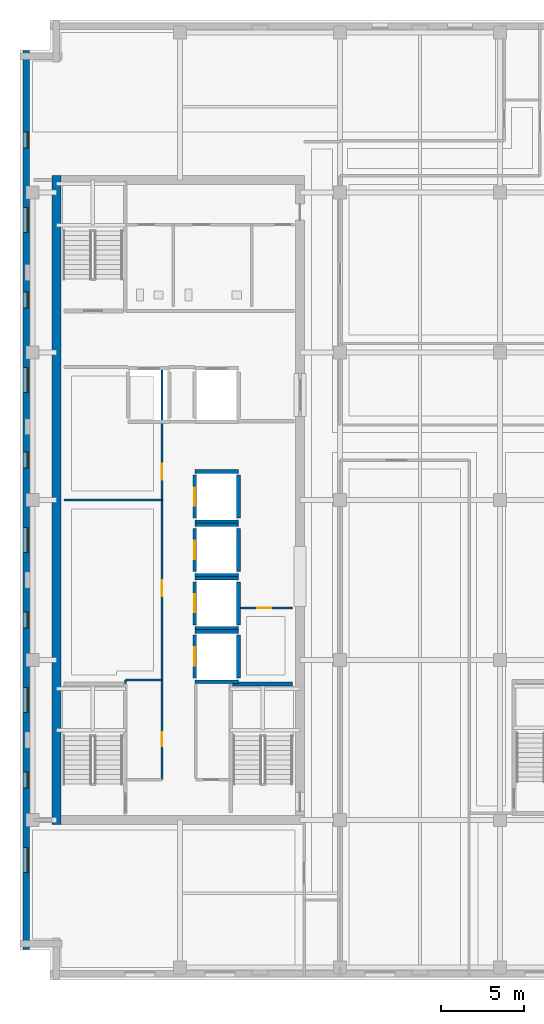
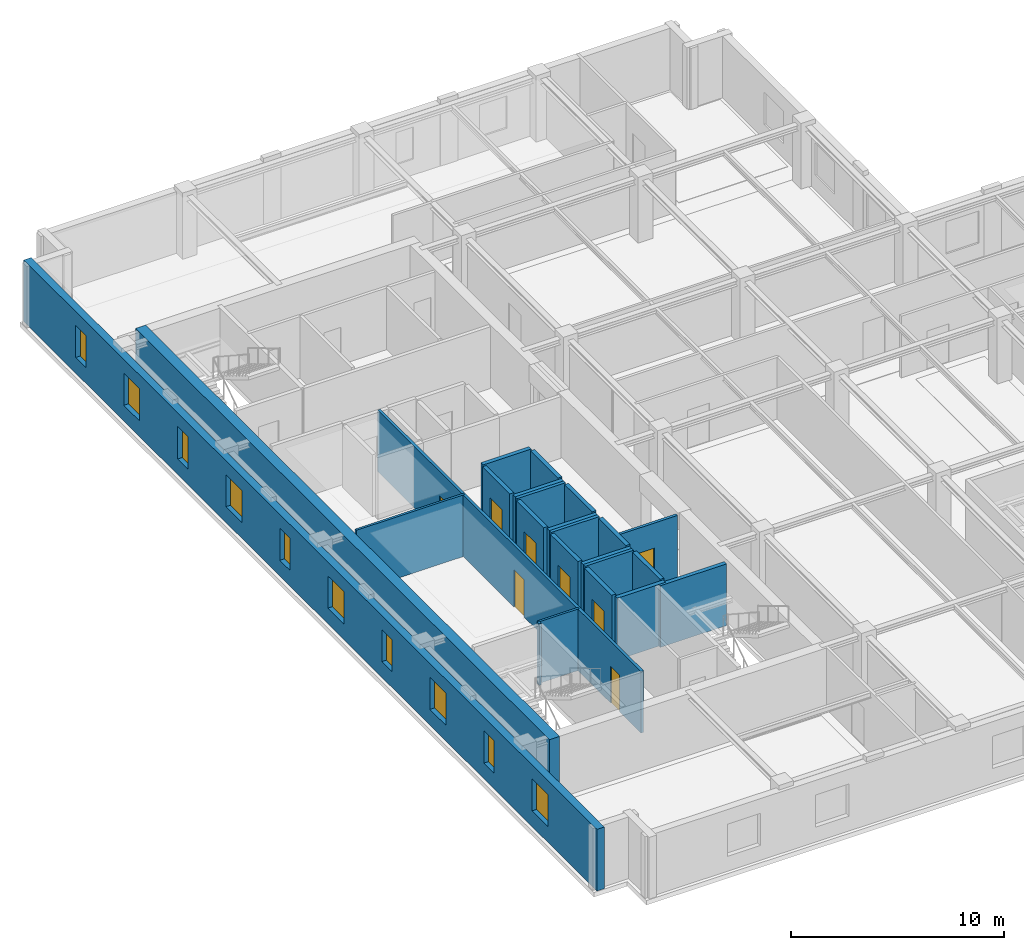
# One storey, part 4 of 12: 24 walls, 10 windows, 8 doors, 18 openings.
"""IFC4 building model written with IfcOpenShell, lengths in metres."""

from ifc_helpers import new_model, si_unit, direction, frame, frame_2d, origin, place, context, subcontext, project, spatial, rectangle, extrude, material, layer, layer_set, type_object, element, fill, save


model = new_model("IFC4")

# Units and contexts
model_context = context("Model", 3, precision=1e-05, world=origin(), true_north=direction((0.0, 1.0)))
body_context = subcontext(model_context, "Body", "Model", "MODEL_VIEW")
ifc_project = project(units=[si_unit("LENGTHUNIT", "METRE"), si_unit("AREAUNIT", "SQUARE_METRE"), si_unit("VOLUMEUNIT", "CUBIC_METRE"), si_unit("PLANEANGLEUNIT", "RADIAN"), si_unit("MASSUNIT", "GRAM", prefix="KILO")], contexts=[model_context])

# Site, building, storey
site_placement = place(None, origin())
site = spatial("IfcSite", under=ifc_project, at=site_placement, CompositionType="ELEMENT")
building_placement = place(site_placement, origin())
building = spatial("IfcBuilding", under=site, at=building_placement, Name="Norrvale University Quadrangle", CompositionType="ELEMENT")
storey_placement = place(building_placement, frame((0.0, 0.0, 237.0)))
storey = spatial("IfcBuildingStorey", under=building, at=storey_placement, Name="L60", CompositionType="ELEMENT", Elevation=237.0)

# Walls
ifc_material_1 = material(Name="Concrete C60/75", Category="concrete")
ifc_layer_1 = layer(ifc_material_1, 0.550048828125, Name="Concrete C60/75")
ifc_layer_set_1 = layer_set([ifc_layer_1], Name="Concrete C60/75")
wall_type_1 = type_object("IfcWallType", Name="Wall Core 550", PredefinedType="SHEAR", material=ifc_layer_set_1)
wall_1_placement = place(storey_placement, frame((2.199951171875, 9.324951171875, 0.0), z_axis=(0.0, 0.0, 1.0), x_axis=(0.0, 1.0, 0.0)))
element("IfcWall", 1, at=wall_1_placement, inside=storey, type_object=wall_type_1, Name="Tower Core Shear Wall L60-W", PredefinedType="SHEAR", context=body_context, shape_type="SweptSolid", body=[
    extrude(rectangle(XDim=38.949951171875, YDim=0.550048828125, at=frame_2d((19.47509765625, 0.0))), origin(), (0.0, 0.0, 1.0), 3.5400390625),
])
ifc_material_2 = material(Name="Standard Academic Gypsum Partition")
ifc_layer_2 = layer(ifc_material_2, 0.125, Name="Standard Academic Gypsum Partition")
ifc_layer_set_2 = layer_set([ifc_layer_2], Name="Standard Academic Gypsum Partition")
wall_type_2 = type_object("IfcWallType", Name="Wall Gypsum Academic 125", PredefinedType="PARTITIONING", material=ifc_layer_set_2)
wall_2_placement = place(storey_placement, frame((6.320068359375, 17.800048828125, 0.0), z_axis=(0.0, 0.0, 1.0), x_axis=(0.0, 1.0, 0.0)))
element("IfcWall", 2, at=wall_2_placement, inside=storey, type_object=wall_type_2, Name="Interior Partition WL-L60-REC-L1", PredefinedType="PARTITIONING", context=body_context, shape_type="SweptSolid", body=[
    extrude(rectangle(XDim=0.199951171875, YDim=0.125, at=frame_2d((0.10009765625, 0.0))), origin(), (0.0, 0.0, 1.0), 3.5400390625),
])
wall_3_placement = place(storey_placement, frame((6.320068359375, 18.0, 0.0), z_axis=(0.0, 0.0, 1.0), x_axis=(1.0, 0.0, 0.0)))
element("IfcWall", 3, at=wall_3_placement, inside=storey, type_object=wall_type_2, Name="Interior Partition WL-L60-REC-L2", PredefinedType="PARTITIONING", context=body_context, shape_type="SweptSolid", body=[
    extrude(rectangle(XDim=2.199951171875, YDim=0.125, at=frame_2d((1.10009765625, 0.0))), origin(), (0.0, 0.0, 1.0), 3.5400390625),
])
wall_4_placement = place(storey_placement, frame((2.64990234375, 28.800048828125, 0.0), z_axis=(0.0, 0.0, 1.0), x_axis=(1.0, 0.0, 0.0)))
element("IfcWall", 4, at=wall_4_placement, inside=storey, type_object=wall_type_2, Name="Interior Partition WL-L60-REC-M2", PredefinedType="PARTITIONING", context=body_context, shape_type="SweptSolid", body=[
    extrude(rectangle(XDim=5.8701171875, YDim=0.125, at=frame_2d((2.93505859375, 0.0))), origin(), (0.0, 0.0, 1.0), 3.5400390625),
])

# Wall, opening, door
ifc_material_3 = material(Name="Fire-Rated Gypsum Stud Partition")
ifc_layer_3 = layer(ifc_material_3, 0.14990234375, Name="Fire-Rated Gypsum Stud Partition")
ifc_layer_set_3 = layer_set([ifc_layer_3], Name="Fire-Rated Gypsum Stud Partition")
wall_type_3 = type_object("IfcWallType", Name="Wall Gypsum Corridor 150", PredefinedType="PARTITIONING", material=ifc_layer_set_3)
wall_5_placement = place(storey_placement, frame((13.22509765625, 22.320068359375, 0.0), z_axis=(0.0, 0.0, 1.0), x_axis=(1.0, 0.0, 0.0)))
wall_5 = element("IfcWall", 5, at=wall_5_placement, inside=storey, type_object=wall_type_3, Name="Interior Partition WL-L60-JAN-N", PredefinedType="PARTITIONING", context=body_context, shape_type="SweptSolid", body=[
    extrude(rectangle(XDim=3.119873046875, YDim=0.14990234375, at=frame_2d((1.56005859375, 0.0))), origin(), (0.0, 0.0, 1.0), 3.5400390625),
])
opening_1_placement = place(wall_5_placement, frame((1.0, 0.0, 0.0)))
opening_1 = element("IfcOpeningElement", 6, at=opening_1_placement, cuts=wall_5, Name="Opening D10", PredefinedType="OPENING", context=body_context, shape_type="SweptSolid", body=[
    extrude(rectangle(XDim=0.85009765625, YDim=2.10009765625, at=frame_2d((0.425048828125, 1.050048828125))), frame((0.0, 0.0869140625, 0.0), z_axis=(0.0, -1.0, 0.0), x_axis=(1.0, 0.0, 0.0)), (0.0, 0.0, 1.0), 0.173828125),
])
ifc_material_4 = material(Name="Hollow Steel 350W Riser Fire Door", Category="steel")
door_type_1 = type_object("IfcDoorType", Name="Door Riser 850x2100", OperationType="NOTDEFINED", PredefinedType="DOOR", material=ifc_material_4)
door_1_placement = place(opening_1_placement, origin())
door_1 = element("IfcDoor", 7, at=door_1_placement, inside=storey, type_object=door_type_1, Name="Door Riser 850x2100 DR-L60-JAN", OperationType="SINGLE_SWING_LEFT", OverallHeight=2.10009765625, OverallWidth=0.85009765625, PredefinedType="DOOR", context=body_context, shape_type="SweptSolid", body=[
    extrude(rectangle(XDim=0.85009765625, YDim=2.10009765625, at=frame_2d((0.425048828125, 1.050048828125))), frame((0.0, 0.02490234375, 0.0), z_axis=(0.0, -1.0, 0.0), x_axis=(1.0, 0.0, 0.0)), (0.0, 0.0, 1.0), 0.050048828125),
])
fill(opening_1, door_1)

# Wall, openings, doors
wall_6_placement = place(storey_placement, frame((8.52001953125, 12.02001953125, 0.0), z_axis=(0.0, 0.0, 1.0), x_axis=(0.0, 1.0, 0.0)))
wall_6 = element("IfcWall", 8, at=wall_6_placement, inside=storey, type_object=wall_type_3, Name="Interior Partition WL-L60-REC-E", PredefinedType="PARTITIONING", context=body_context, shape_type="SweptSolid", body=[
    extrude(rectangle(XDim=24.760009765625, YDim=0.14990234375, at=frame_2d((12.3798828125, 0.0))), origin(), (0.0, 0.0, 1.0), 3.5400390625),
])
opening_2_placement = place(wall_6_placement, frame((2.0, 0.0, 0.0)))
opening_2 = element("IfcOpeningElement", 9, at=opening_2_placement, cuts=wall_6, Name="Opening D10", PredefinedType="OPENING", context=body_context, shape_type="SweptSolid", body=[
    extrude(rectangle(XDim=0.85009765625, YDim=2.10009765625, at=frame_2d((0.425048828125, 1.050048828125))), frame((0.0, 0.0869140625, 0.0), z_axis=(0.0, -1.0, 0.0), x_axis=(1.0, 0.0, 0.0)), (0.0, 0.0, 1.0), 0.173828125),
])
opening_3_placement = place(wall_6_placement, frame((11.0, 0.0, 0.0)))
opening_3 = element("IfcOpeningElement", 10, at=opening_3_placement, cuts=wall_6, Name="Opening D07", PredefinedType="OPENING", context=body_context, shape_type="SweptSolid", body=[
    extrude(rectangle(XDim=0.949951171875, YDim=2.14990234375, at=frame_2d((0.47509765625, 1.074951171875))), frame((0.0, 0.0869140625, 0.0), z_axis=(0.0, -1.0, 0.0), x_axis=(1.0, 0.0, 0.0)), (0.0, 0.0, 1.0), 0.173828125),
])
opening_4_placement = place(wall_6_placement, frame((18.0, 0.0, 0.0)))
opening_4 = element("IfcOpeningElement", 11, at=opening_4_placement, cuts=wall_6, Name="Opening D07", PredefinedType="OPENING", context=body_context, shape_type="SweptSolid", body=[
    extrude(rectangle(XDim=0.949951171875, YDim=2.14990234375, at=frame_2d((0.47509765625, 1.074951171875))), frame((0.0, 0.0869140625, 0.0), z_axis=(0.0, -1.0, 0.0), x_axis=(1.0, 0.0, 0.0)), (0.0, 0.0, 1.0), 0.173828125),
])
ifc_material_5 = material(Name="Solid-Core Maple Door", Category="wood")
door_type_2 = type_object("IfcDoorType", Name="Door Office 950x2150", OperationType="NOTDEFINED", PredefinedType="DOOR", material=ifc_material_5)
door_2_placement = place(opening_3_placement, origin())
door_2 = element("IfcDoor", 12, at=door_2_placement, inside=storey, type_object=door_type_2, Name="Door Office 950x2150 DR-L60-REC2", OperationType="SINGLE_SWING_RIGHT", OverallHeight=2.14990234375, OverallWidth=0.949951171875, PredefinedType="DOOR", context=body_context, shape_type="SweptSolid", body=[
    extrude(rectangle(XDim=0.949951171875, YDim=2.14990234375, at=frame_2d((0.47509765625, 1.074951171875))), frame((0.0, 0.02490234375, 0.0), z_axis=(0.0, -1.0, 0.0), x_axis=(1.0, 0.0, 0.0)), (0.0, 0.0, 1.0), 0.050048828125),
])
fill(opening_3, door_2)
door_3_placement = place(opening_4_placement, origin())
door_3 = element("IfcDoor", 13, at=door_3_placement, inside=storey, type_object=door_type_2, Name="Door Office 950x2150 DR-L60-REC3", OperationType="SINGLE_SWING_LEFT", OverallHeight=2.14990234375, OverallWidth=0.949951171875, PredefinedType="DOOR", context=body_context, shape_type="SweptSolid", body=[
    extrude(rectangle(XDim=0.949951171875, YDim=2.14990234375, at=frame_2d((0.47509765625, 1.074951171875))), frame((0.0, 0.02490234375, 0.0), z_axis=(0.0, -1.0, 0.0), x_axis=(1.0, 0.0, 0.0)), (0.0, 0.0, 1.0), 0.050048828125),
])
fill(opening_4, door_3)
door_4_placement = place(opening_2_placement, origin())
door_4 = element("IfcDoor", 14, at=door_4_placement, inside=storey, type_object=door_type_1, Name="Door Riser 850x2100 DR-L60-REC1", OperationType="SINGLE_SWING_LEFT", OverallHeight=2.10009765625, OverallWidth=0.85009765625, PredefinedType="DOOR", context=body_context, shape_type="SweptSolid", body=[
    extrude(rectangle(XDim=0.85009765625, YDim=2.10009765625, at=frame_2d((0.425048828125, 1.050048828125))), frame((0.0, 0.02490234375, 0.0), z_axis=(0.0, -1.0, 0.0), x_axis=(1.0, 0.0, 0.0)), (0.0, 0.0, 1.0), 0.050048828125),
])
fill(opening_2, door_4)

# Wall, openings, windows
ifc_material_6 = material(Name="Red Manganese Brick Masonry", Category="masonry")
ifc_layer_4 = layer(ifc_material_6, 0.39990234375, Name="Red Manganese Brick Masonry")
ifc_layer_set_4 = layer_set([ifc_layer_4], Name="Red Manganese Brick Masonry")
wall_type_4 = type_object("IfcWallType", Name="Wall Red Brick 400", PredefinedType="SOLIDWALL", material=ifc_layer_set_4)
wall_7_placement = place(storey_placement, frame((0.3798828125, 55.760009765625, 0.0), z_axis=(0.0, 0.0, 1.0), x_axis=(0.0, -1.0, 0.0)))
wall_7 = element("IfcWall", 15, at=wall_7_placement, inside=storey, type_object=wall_type_4, Name="Exterior Brick Facade Wall L60-14.1", PredefinedType="SOLIDWALL", context=body_context, shape_type="SweptSolid", body=[
    extrude(rectangle(XDim=53.919921875, YDim=0.39990234375, at=frame_2d((26.9599609375, 0.0))), origin(), (0.0, 0.0, 1.0), 3.5400390625),
])
opening_5_placement = place(wall_7_placement, frame((4.885009765625, 0.0, 0.89990234375)))
opening_5 = element("IfcOpeningElement", 16, at=opening_5_placement, cuts=wall_7, Name="Opening W04", PredefinedType="OPENING", context=body_context, shape_type="SweptSolid", body=[
    extrude(rectangle(XDim=0.949951171875, YDim=1.85009765625, at=frame_2d((0.47509765625, 0.925048828125))), frame((0.0, 0.2119140625, 0.0), z_axis=(0.0, -1.0, 0.0), x_axis=(1.0, 0.0, 0.0)), (0.0, 0.0, 1.0), 0.423828125),
])
opening_6_placement = place(wall_7_placement, frame((9.409912109375, 0.0, 0.89990234375)))
opening_6 = element("IfcOpeningElement", 17, at=opening_6_placement, cuts=wall_7, Name="Opening W03", PredefinedType="OPENING", context=body_context, shape_type="SweptSolid", body=[
    extrude(rectangle(XDim=1.5, YDim=1.85009765625, at=frame_2d((0.75, 0.925048828125))), frame((0.0, 0.2119140625, 0.0), z_axis=(0.0, -1.0, 0.0), x_axis=(1.0, 0.0, 0.0)), (0.0, 0.0, 1.0), 0.423828125),
])
opening_7_placement = place(wall_7_placement, frame((14.485107421875, 0.0, 0.89990234375)))
opening_7 = element("IfcOpeningElement", 18, at=opening_7_placement, cuts=wall_7, Name="Opening W04", PredefinedType="OPENING", context=body_context, shape_type="SweptSolid", body=[
    extrude(rectangle(XDim=0.949951171875, YDim=1.85009765625, at=frame_2d((0.47509765625, 0.925048828125))), frame((0.0, 0.2119140625, 0.0), z_axis=(0.0, -1.0, 0.0), x_axis=(1.0, 0.0, 0.0)), (0.0, 0.0, 1.0), 0.423828125),
])
opening_8_placement = place(wall_7_placement, frame((19.010009765625, 0.0, 0.89990234375)))
opening_8 = element("IfcOpeningElement", 19, at=opening_8_placement, cuts=wall_7, Name="Opening W03", PredefinedType="OPENING", context=body_context, shape_type="SweptSolid", body=[
    extrude(rectangle(XDim=1.5, YDim=1.85009765625, at=frame_2d((0.75, 0.925048828125))), frame((0.0, 0.2119140625, 0.0), z_axis=(0.0, -1.0, 0.0), x_axis=(1.0, 0.0, 0.0)), (0.0, 0.0, 1.0), 0.423828125),
])
opening_9_placement = place(wall_7_placement, frame((24.0849609375, 0.0, 0.89990234375)))
opening_9 = element("IfcOpeningElement", 20, at=opening_9_placement, cuts=wall_7, Name="Opening W04", PredefinedType="OPENING", context=body_context, shape_type="SweptSolid", body=[
    extrude(rectangle(XDim=0.949951171875, YDim=1.85009765625, at=frame_2d((0.47509765625, 0.925048828125))), frame((0.0, 0.2119140625, 0.0), z_axis=(0.0, -1.0, 0.0), x_axis=(1.0, 0.0, 0.0)), (0.0, 0.0, 1.0), 0.423828125),
])
opening_10_placement = place(wall_7_placement, frame((28.610107421875, 0.0, 0.89990234375)))
opening_10 = element("IfcOpeningElement", 21, at=opening_10_placement, cuts=wall_7, Name="Opening W03", PredefinedType="OPENING", context=body_context, shape_type="SweptSolid", body=[
    extrude(rectangle(XDim=1.5, YDim=1.85009765625, at=frame_2d((0.75, 0.925048828125))), frame((0.0, 0.2119140625, 0.0), z_axis=(0.0, -1.0, 0.0), x_axis=(1.0, 0.0, 0.0)), (0.0, 0.0, 1.0), 0.423828125),
])
opening_11_placement = place(wall_7_placement, frame((33.68505859375, 0.0, 0.89990234375)))
opening_11 = element("IfcOpeningElement", 22, at=opening_11_placement, cuts=wall_7, Name="Opening W04", PredefinedType="OPENING", context=body_context, shape_type="SweptSolid", body=[
    extrude(rectangle(XDim=0.949951171875, YDim=1.85009765625, at=frame_2d((0.47509765625, 0.925048828125))), frame((0.0, 0.2119140625, 0.0), z_axis=(0.0, -1.0, 0.0), x_axis=(1.0, 0.0, 0.0)), (0.0, 0.0, 1.0), 0.423828125),
])
opening_12_placement = place(wall_7_placement, frame((38.2099609375, 0.0, 0.89990234375)))
opening_12 = element("IfcOpeningElement", 23, at=opening_12_placement, cuts=wall_7, Name="Opening W03", PredefinedType="OPENING", context=body_context, shape_type="SweptSolid", body=[
    extrude(rectangle(XDim=1.5, YDim=1.85009765625, at=frame_2d((0.75, 0.925048828125))), frame((0.0, 0.2119140625, 0.0), z_axis=(0.0, -1.0, 0.0), x_axis=(1.0, 0.0, 0.0)), (0.0, 0.0, 1.0), 0.423828125),
])
opening_13_placement = place(wall_7_placement, frame((43.284912109375, 0.0, 0.89990234375)))
opening_13 = element("IfcOpeningElement", 24, at=opening_13_placement, cuts=wall_7, Name="Opening W04", PredefinedType="OPENING", context=body_context, shape_type="SweptSolid", body=[
    extrude(rectangle(XDim=0.949951171875, YDim=1.85009765625, at=frame_2d((0.47509765625, 0.925048828125))), frame((0.0, 0.2119140625, 0.0), z_axis=(0.0, -1.0, 0.0), x_axis=(1.0, 0.0, 0.0)), (0.0, 0.0, 1.0), 0.423828125),
])
opening_14_placement = place(wall_7_placement, frame((47.81005859375, 0.0, 0.89990234375)))
opening_14 = element("IfcOpeningElement", 25, at=opening_14_placement, cuts=wall_7, Name="Opening W03", PredefinedType="OPENING", context=body_context, shape_type="SweptSolid", body=[
    extrude(rectangle(XDim=1.5, YDim=1.85009765625, at=frame_2d((0.75, 0.925048828125))), frame((0.0, 0.2119140625, 0.0), z_axis=(0.0, -1.0, 0.0), x_axis=(1.0, 0.0, 0.0)), (0.0, 0.0, 1.0), 0.423828125),
])
ifc_material_7 = material(Name="Triple Low-E Argon Glazing", Category="glass")
window_type_1 = type_object("IfcWindowType", Name="Window Narrow Pier 950x2300", PartitioningType="SINGLE_PANEL", PredefinedType="WINDOW", material=ifc_material_7)
window_1_placement = place(opening_5_placement, origin())
window_1 = element("IfcWindow", 26, at=window_1_placement, inside=storey, type_object=window_type_1, Name="Window Narrow Pier 950x2300 WIN-L60-E14-1-01", OverallHeight=1.85009765625, OverallWidth=0.949951171875, PartitioningType="SINGLE_PANEL", PredefinedType="WINDOW", context=body_context, shape_type="SweptSolid", body=[
    extrude(rectangle(XDim=0.949951171875, YDim=1.85009765625, at=frame_2d((0.47509765625, 0.925048828125))), frame((0.0, 0.110107421875, 0.0), z_axis=(0.0, -1.0, 0.0), x_axis=(1.0, 0.0, 0.0)), (0.0, 0.0, 1.0), 0.06005859375),
])
fill(opening_5, window_1)
window_2_placement = place(opening_7_placement, origin())
window_2 = element("IfcWindow", 27, at=window_2_placement, inside=storey, type_object=window_type_1, Name="Window Narrow Pier 950x2300 WIN-L60-E14-1-03", OverallHeight=1.85009765625, OverallWidth=0.949951171875, PartitioningType="SINGLE_PANEL", PredefinedType="WINDOW", context=body_context, shape_type="SweptSolid", body=[
    extrude(rectangle(XDim=0.949951171875, YDim=1.85009765625, at=frame_2d((0.47509765625, 0.925048828125))), frame((0.0, 0.110107421875, 0.0), z_axis=(0.0, -1.0, 0.0), x_axis=(1.0, 0.0, 0.0)), (0.0, 0.0, 1.0), 0.06005859375),
])
fill(opening_7, window_2)
window_3_placement = place(opening_9_placement, origin())
window_3 = element("IfcWindow", 28, at=window_3_placement, inside=storey, type_object=window_type_1, Name="Window Narrow Pier 950x2300 WIN-L60-E14-1-05", OverallHeight=1.85009765625, OverallWidth=0.949951171875, PartitioningType="SINGLE_PANEL", PredefinedType="WINDOW", context=body_context, shape_type="SweptSolid", body=[
    extrude(rectangle(XDim=0.949951171875, YDim=1.85009765625, at=frame_2d((0.47509765625, 0.925048828125))), frame((0.0, 0.110107421875, 0.0), z_axis=(0.0, -1.0, 0.0), x_axis=(1.0, 0.0, 0.0)), (0.0, 0.0, 1.0), 0.06005859375),
])
fill(opening_9, window_3)
window_4_placement = place(opening_11_placement, origin())
window_4 = element("IfcWindow", 29, at=window_4_placement, inside=storey, type_object=window_type_1, Name="Window Narrow Pier 950x2300 WIN-L60-E14-1-07", OverallHeight=1.85009765625, OverallWidth=0.949951171875, PartitioningType="SINGLE_PANEL", PredefinedType="WINDOW", context=body_context, shape_type="SweptSolid", body=[
    extrude(rectangle(XDim=0.949951171875, YDim=1.85009765625, at=frame_2d((0.47509765625, 0.925048828125))), frame((0.0, 0.110107421875, 0.0), z_axis=(0.0, -1.0, 0.0), x_axis=(1.0, 0.0, 0.0)), (0.0, 0.0, 1.0), 0.06005859375),
])
fill(opening_11, window_4)
window_5_placement = place(opening_13_placement, origin())
window_5 = element("IfcWindow", 30, at=window_5_placement, inside=storey, type_object=window_type_1, Name="Window Narrow Pier 950x2300 WIN-L60-E14-1-09", OverallHeight=1.85009765625, OverallWidth=0.949951171875, PartitioningType="SINGLE_PANEL", PredefinedType="WINDOW", context=body_context, shape_type="SweptSolid", body=[
    extrude(rectangle(XDim=0.949951171875, YDim=1.85009765625, at=frame_2d((0.47509765625, 0.925048828125))), frame((0.0, 0.110107421875, 0.0), z_axis=(0.0, -1.0, 0.0), x_axis=(1.0, 0.0, 0.0)), (0.0, 0.0, 1.0), 0.06005859375),
])
fill(opening_13, window_5)
window_type_2 = type_object("IfcWindowType", Name="Window Studio 1500x2300", PartitioningType="DOUBLE_PANEL_VERTICAL", PredefinedType="WINDOW", material=ifc_material_7)
window_6_placement = place(opening_6_placement, origin())
window_6 = element("IfcWindow", 31, at=window_6_placement, inside=storey, type_object=window_type_2, Name="Window Studio 1500x2300 WIN-L60-E14-1-02", OverallHeight=1.85009765625, OverallWidth=1.5, PartitioningType="DOUBLE_PANEL_VERTICAL", PredefinedType="WINDOW", context=body_context, shape_type="SweptSolid", body=[
    extrude(rectangle(XDim=1.5, YDim=1.85009765625, at=frame_2d((0.75, 0.925048828125))), frame((0.0, 0.110107421875, 0.0), z_axis=(0.0, -1.0, 0.0), x_axis=(1.0, 0.0, 0.0)), (0.0, 0.0, 1.0), 0.06005859375),
])
fill(opening_6, window_6)
window_7_placement = place(opening_8_placement, origin())
window_7 = element("IfcWindow", 32, at=window_7_placement, inside=storey, type_object=window_type_2, Name="Window Studio 1500x2300 WIN-L60-E14-1-04", OverallHeight=1.85009765625, OverallWidth=1.5, PartitioningType="DOUBLE_PANEL_VERTICAL", PredefinedType="WINDOW", context=body_context, shape_type="SweptSolid", body=[
    extrude(rectangle(XDim=1.5, YDim=1.85009765625, at=frame_2d((0.75, 0.925048828125))), frame((0.0, 0.110107421875, 0.0), z_axis=(0.0, -1.0, 0.0), x_axis=(1.0, 0.0, 0.0)), (0.0, 0.0, 1.0), 0.06005859375),
])
fill(opening_8, window_7)
window_8_placement = place(opening_10_placement, origin())
window_8 = element("IfcWindow", 33, at=window_8_placement, inside=storey, type_object=window_type_2, Name="Window Studio 1500x2300 WIN-L60-E14-1-06", OverallHeight=1.85009765625, OverallWidth=1.5, PartitioningType="DOUBLE_PANEL_VERTICAL", PredefinedType="WINDOW", context=body_context, shape_type="SweptSolid", body=[
    extrude(rectangle(XDim=1.5, YDim=1.85009765625, at=frame_2d((0.75, 0.925048828125))), frame((0.0, 0.110107421875, 0.0), z_axis=(0.0, -1.0, 0.0), x_axis=(1.0, 0.0, 0.0)), (0.0, 0.0, 1.0), 0.06005859375),
])
fill(opening_10, window_8)
window_9_placement = place(opening_12_placement, origin())
window_9 = element("IfcWindow", 34, at=window_9_placement, inside=storey, type_object=window_type_2, Name="Window Studio 1500x2300 WIN-L60-E14-1-08", OverallHeight=1.85009765625, OverallWidth=1.5, PartitioningType="DOUBLE_PANEL_VERTICAL", PredefinedType="WINDOW", context=body_context, shape_type="SweptSolid", body=[
    extrude(rectangle(XDim=1.5, YDim=1.85009765625, at=frame_2d((0.75, 0.925048828125))), frame((0.0, 0.110107421875, 0.0), z_axis=(0.0, -1.0, 0.0), x_axis=(1.0, 0.0, 0.0)), (0.0, 0.0, 1.0), 0.06005859375),
])
fill(opening_12, window_9)
window_10_placement = place(opening_14_placement, origin())
window_10 = element("IfcWindow", 35, at=window_10_placement, inside=storey, type_object=window_type_2, Name="Window Studio 1500x2300 WIN-L60-E14-1-10", OverallHeight=1.85009765625, OverallWidth=1.5, PartitioningType="DOUBLE_PANEL_VERTICAL", PredefinedType="WINDOW", context=body_context, shape_type="SweptSolid", body=[
    extrude(rectangle(XDim=1.5, YDim=1.85009765625, at=frame_2d((0.75, 0.925048828125))), frame((0.0, 0.110107421875, 0.0), z_axis=(0.0, -1.0, 0.0), x_axis=(1.0, 0.0, 0.0)), (0.0, 0.0, 1.0), 0.06005859375),
])
fill(opening_14, window_10)

# Wall
ifc_material_8 = material(Name="Concrete Blockwork 20 MPa Fire Shaft", Category="masonry")
ifc_layer_5 = layer(ifc_material_8, 0.219970703125, Name="Concrete Blockwork 20 MPa Fire Shaft")
ifc_layer_set_5 = layer_set([ifc_layer_5], Name="Concrete Blockwork 20 MPa Fire Shaft")
wall_type_5 = type_object("IfcWallType", Name="Wall Shaft 220", PredefinedType="SOLIDWALL", material=ifc_layer_set_5)
wall_8_placement = place(storey_placement, frame((12.75, 17.760009765625, 0.0), z_axis=(0.0, 0.0, 1.0), x_axis=(1.0, 0.0, 0.0)))
element("IfcWall", 36, at=wall_8_placement, inside=storey, type_object=wall_type_5, Name="Stair ST-03 North Shaft Wall L60", PredefinedType="SOLIDWALL", context=body_context, shape_type="SweptSolid", body=[
    extrude(rectangle(XDim=3.60009765625, YDim=0.219970703125, at=frame_2d((1.800048828125, 0.0))), origin(), (0.0, 0.0, 1.0), 3.5400390625),
])

# Wall, opening, door
wall_9_placement = place(storey_placement, frame((10.489990234375, 18.110107421875, 0.0), z_axis=(0.0, 0.0, 1.0), x_axis=(0.0, 1.0, 0.0)))
wall_9 = element("IfcWall", 37, at=wall_9_placement, inside=storey, type_object=wall_type_5, Name="Hoistway PL-05 West Wall L60", PredefinedType="SOLIDWALL", context=body_context, shape_type="SweptSolid", body=[
    extrude(rectangle(XDim=2.579833984375, YDim=0.219970703125, at=frame_2d((1.2900390625, 0.0))), origin(), (0.0, 0.0, 1.0), 3.5400390625),
])
opening_15_placement = place(wall_9_placement, frame((0.739990234375, 0.0, 0.0)))
opening_15 = element("IfcOpeningElement", 38, at=opening_15_placement, cuts=wall_9, Name="Opening LD1", PredefinedType="OPENING", context=body_context, shape_type="SweptSolid", body=[
    extrude(rectangle(XDim=1.10009765625, YDim=2.199951171875, at=frame_2d((0.550048828125, 1.10009765625))), frame((0.0, 0.1220703125, 0.0), z_axis=(0.0, -1.0, 0.0), x_axis=(1.0, 0.0, 0.0)), (0.0, 0.0, 1.0), 0.243896484375),
])
ifc_material_9 = material(Name="Stainless Steel 316L Lift Landing Door", Category="steel")
door_type_3 = type_object("IfcDoorType", Name="Door Lift Landing 1100x2200", OperationType="DOUBLE_DOOR_SLIDING", PredefinedType="DOOR", material=ifc_material_9)
door_5_placement = place(opening_15_placement, origin())
door_5 = element("IfcDoor", 39, at=door_5_placement, inside=storey, type_object=door_type_3, Name="Elevator Landing Door DR-L60-PL-05", OperationType="DOUBLE_DOOR_SLIDING", OverallHeight=2.199951171875, OverallWidth=1.10009765625, PredefinedType="DOOR", context=body_context, shape_type="SweptSolid", body=[
    extrude(rectangle(XDim=1.10009765625, YDim=2.199951171875, at=frame_2d((0.550048828125, 1.10009765625))), frame((0.0, 0.02490234375, 0.0), z_axis=(0.0, -1.0, 0.0), x_axis=(1.0, 0.0, 0.0)), (0.0, 0.0, 1.0), 0.050048828125),
])
fill(opening_15, door_5)

# Walls
wall_10_placement = place(storey_placement, frame((13.110107421875, 18.110107421875, 0.0), z_axis=(0.0, 0.0, 1.0), x_axis=(0.0, 1.0, 0.0)))
element("IfcWall", 40, at=wall_10_placement, inside=storey, type_object=wall_type_5, Name="Hoistway PL-05 East Wall L60", PredefinedType="SOLIDWALL", context=body_context, shape_type="SweptSolid", body=[
    extrude(rectangle(XDim=2.579833984375, YDim=0.219970703125, at=frame_2d((1.2900390625, 0.0))), origin(), (0.0, 0.0, 1.0), 3.5400390625),
])
for number, where, z_axis, x_axis, name in (
    (41, (10.489990234375, 17.889892578125, 0.0), (0.0, 0.0, 1.0), (1.0, 0.0, 0.0), "Hoistway PL-05 South Wall L60"),
    (42, (10.489990234375, 20.909912109375, 0.0), (0.0, 0.0, 1.0), (1.0, 0.0, 0.0), "Hoistway PL-05 North Wall L60"),
):
    element("IfcWall", number, at=place(storey_placement, frame(where, z_axis=z_axis, x_axis=x_axis)), inside=storey, type_object=wall_type_5, Name=name, PredefinedType="SOLIDWALL", context=body_context, shape_type="SweptSolid", body=[
        extrude(rectangle(XDim=2.6201171875, YDim=0.219970703125, at=frame_2d((1.31005859375, 0.0))), origin(), (0.0, 0.0, 1.0), 3.5400390625),
    ])

# Wall, opening, door
wall_11_placement = place(storey_placement, frame((10.489990234375, 21.31005859375, 0.0), z_axis=(0.0, 0.0, 1.0), x_axis=(0.0, 1.0, 0.0)))
wall_11 = element("IfcWall", 43, at=wall_11_placement, inside=storey, type_object=wall_type_5, Name="Hoistway PL-06 West Wall L60", PredefinedType="SOLIDWALL", context=body_context, shape_type="SweptSolid", body=[
    extrude(rectangle(XDim=2.579833984375, YDim=0.219970703125, at=frame_2d((1.2900390625, 0.0))), origin(), (0.0, 0.0, 1.0), 3.5400390625),
])
opening_16_placement = place(wall_11_placement, frame((0.739990234375, 0.0, 0.0)))
opening_16 = element("IfcOpeningElement", 44, at=opening_16_placement, cuts=wall_11, Name="Opening LD1", PredefinedType="OPENING", context=body_context, shape_type="SweptSolid", body=[
    extrude(rectangle(XDim=1.10009765625, YDim=2.199951171875, at=frame_2d((0.550048828125, 1.10009765625))), frame((0.0, 0.1220703125, 0.0), z_axis=(0.0, -1.0, 0.0), x_axis=(1.0, 0.0, 0.0)), (0.0, 0.0, 1.0), 0.243896484375),
])
door_6_placement = place(opening_16_placement, origin())
door_6 = element("IfcDoor", 45, at=door_6_placement, inside=storey, type_object=door_type_3, Name="Elevator Landing Door DR-L60-PL-06", OperationType="DOUBLE_DOOR_SLIDING", OverallHeight=2.199951171875, OverallWidth=1.10009765625, PredefinedType="DOOR", context=body_context, shape_type="SweptSolid", body=[
    extrude(rectangle(XDim=1.10009765625, YDim=2.199951171875, at=frame_2d((0.550048828125, 1.10009765625))), frame((0.0, 0.02490234375, 0.0), z_axis=(0.0, -1.0, 0.0), x_axis=(1.0, 0.0, 0.0)), (0.0, 0.0, 1.0), 0.050048828125),
])
fill(opening_16, door_6)

# Walls
wall_12_placement = place(storey_placement, frame((13.110107421875, 21.31005859375, 0.0), z_axis=(0.0, 0.0, 1.0), x_axis=(0.0, 1.0, 0.0)))
element("IfcWall", 46, at=wall_12_placement, inside=storey, type_object=wall_type_5, Name="Hoistway PL-06 East Wall L60", PredefinedType="SOLIDWALL", context=body_context, shape_type="SweptSolid", body=[
    extrude(rectangle(XDim=2.579833984375, YDim=0.219970703125, at=frame_2d((1.2900390625, 0.0))), origin(), (0.0, 0.0, 1.0), 3.5400390625),
])
for number, where, z_axis, x_axis, name in (
    (47, (10.489990234375, 21.090087890625, 0.0), (0.0, 0.0, 1.0), (1.0, 0.0, 0.0), "Hoistway PL-06 South Wall L60"),
    (48, (10.489990234375, 24.110107421875, 0.0), (0.0, 0.0, 1.0), (1.0, 0.0, 0.0), "Hoistway PL-06 North Wall L60"),
):
    element("IfcWall", number, at=place(storey_placement, frame(where, z_axis=z_axis, x_axis=x_axis)), inside=storey, type_object=wall_type_5, Name=name, PredefinedType="SOLIDWALL", context=body_context, shape_type="SweptSolid", body=[
        extrude(rectangle(XDim=2.6201171875, YDim=0.219970703125, at=frame_2d((1.31005859375, 0.0))), origin(), (0.0, 0.0, 1.0), 3.5400390625),
    ])

# Wall, opening, door
wall_13_placement = place(storey_placement, frame((10.489990234375, 24.510009765625, 0.0), z_axis=(0.0, 0.0, 1.0), x_axis=(0.0, 1.0, 0.0)))
wall_13 = element("IfcWall", 49, at=wall_13_placement, inside=storey, type_object=wall_type_5, Name="Hoistway PL-07 West Wall L60", PredefinedType="SOLIDWALL", context=body_context, shape_type="SweptSolid", body=[
    extrude(rectangle(XDim=2.580078125, YDim=0.219970703125, at=frame_2d((1.2900390625, 0.0))), origin(), (0.0, 0.0, 1.0), 3.5400390625),
])
opening_17_placement = place(wall_13_placement, frame((0.739990234375, 0.0, 0.0)))
opening_17 = element("IfcOpeningElement", 50, at=opening_17_placement, cuts=wall_13, Name="Opening LD1", PredefinedType="OPENING", context=body_context, shape_type="SweptSolid", body=[
    extrude(rectangle(XDim=1.10009765625, YDim=2.199951171875, at=frame_2d((0.550048828125, 1.10009765625))), frame((0.0, 0.1220703125, 0.0), z_axis=(0.0, -1.0, 0.0), x_axis=(1.0, 0.0, 0.0)), (0.0, 0.0, 1.0), 0.243896484375),
])
door_7_placement = place(opening_17_placement, origin())
door_7 = element("IfcDoor", 51, at=door_7_placement, inside=storey, type_object=door_type_3, Name="Elevator Landing Door DR-L60-PL-07", OperationType="DOUBLE_DOOR_SLIDING", OverallHeight=2.199951171875, OverallWidth=1.10009765625, PredefinedType="DOOR", context=body_context, shape_type="SweptSolid", body=[
    extrude(rectangle(XDim=1.10009765625, YDim=2.199951171875, at=frame_2d((0.550048828125, 1.10009765625))), frame((0.0, 0.02490234375, 0.0), z_axis=(0.0, -1.0, 0.0), x_axis=(1.0, 0.0, 0.0)), (0.0, 0.0, 1.0), 0.050048828125),
])
fill(opening_17, door_7)

# Walls
wall_14_placement = place(storey_placement, frame((13.110107421875, 24.510009765625, 0.0), z_axis=(0.0, 0.0, 1.0), x_axis=(0.0, 1.0, 0.0)))
element("IfcWall", 52, at=wall_14_placement, inside=storey, type_object=wall_type_5, Name="Hoistway PL-07 East Wall L60", PredefinedType="SOLIDWALL", context=body_context, shape_type="SweptSolid", body=[
    extrude(rectangle(XDim=2.580078125, YDim=0.219970703125, at=frame_2d((1.2900390625, 0.0))), origin(), (0.0, 0.0, 1.0), 3.5400390625),
])
for number, where, z_axis, x_axis, name in (
    (53, (10.489990234375, 24.2900390625, 0.0), (0.0, 0.0, 1.0), (1.0, 0.0, 0.0), "Hoistway PL-07 South Wall L60"),
    (54, (10.489990234375, 27.31005859375, 0.0), (0.0, 0.0, 1.0), (1.0, 0.0, 0.0), "Hoistway PL-07 North Wall L60"),
):
    element("IfcWall", number, at=place(storey_placement, frame(where, z_axis=z_axis, x_axis=x_axis)), inside=storey, type_object=wall_type_5, Name=name, PredefinedType="SOLIDWALL", context=body_context, shape_type="SweptSolid", body=[
        extrude(rectangle(XDim=2.6201171875, YDim=0.219970703125, at=frame_2d((1.31005859375, 0.0))), origin(), (0.0, 0.0, 1.0), 3.5400390625),
    ])

# Wall, opening, door
wall_15_placement = place(storey_placement, frame((10.489990234375, 27.7099609375, 0.0), z_axis=(0.0, 0.0, 1.0), x_axis=(0.0, 1.0, 0.0)))
wall_15 = element("IfcWall", 55, at=wall_15_placement, inside=storey, type_object=wall_type_5, Name="Hoistway PL-08 West Wall L60", PredefinedType="SOLIDWALL", context=body_context, shape_type="SweptSolid", body=[
    extrude(rectangle(XDim=2.580078125, YDim=0.219970703125, at=frame_2d((1.2900390625, 0.0))), origin(), (0.0, 0.0, 1.0), 3.5400390625),
])
opening_18_placement = place(wall_15_placement, frame((0.739990234375, 0.0, 0.0)))
opening_18 = element("IfcOpeningElement", 56, at=opening_18_placement, cuts=wall_15, Name="Opening LD1", PredefinedType="OPENING", context=body_context, shape_type="SweptSolid", body=[
    extrude(rectangle(XDim=1.10009765625, YDim=2.199951171875, at=frame_2d((0.550048828125, 1.10009765625))), frame((0.0, 0.1220703125, 0.0), z_axis=(0.0, -1.0, 0.0), x_axis=(1.0, 0.0, 0.0)), (0.0, 0.0, 1.0), 0.243896484375),
])
door_8_placement = place(opening_18_placement, origin())
door_8 = element("IfcDoor", 57, at=door_8_placement, inside=storey, type_object=door_type_3, Name="Elevator Landing Door DR-L60-PL-08", OperationType="DOUBLE_DOOR_SLIDING", OverallHeight=2.199951171875, OverallWidth=1.10009765625, PredefinedType="DOOR", context=body_context, shape_type="SweptSolid", body=[
    extrude(rectangle(XDim=1.10009765625, YDim=2.199951171875, at=frame_2d((0.550048828125, 1.10009765625))), frame((0.0, 0.02490234375, 0.0), z_axis=(0.0, -1.0, 0.0), x_axis=(1.0, 0.0, 0.0)), (0.0, 0.0, 1.0), 0.050048828125),
])
fill(opening_18, door_8)

# Walls
wall_16_placement = place(storey_placement, frame((13.110107421875, 27.7099609375, 0.0), z_axis=(0.0, 0.0, 1.0), x_axis=(0.0, 1.0, 0.0)))
element("IfcWall", 58, at=wall_16_placement, inside=storey, type_object=wall_type_5, Name="Hoistway PL-08 East Wall L60", PredefinedType="SOLIDWALL", context=body_context, shape_type="SweptSolid", body=[
    extrude(rectangle(XDim=2.580078125, YDim=0.219970703125, at=frame_2d((1.2900390625, 0.0))), origin(), (0.0, 0.0, 1.0), 3.5400390625),
])
for number, where, z_axis, x_axis, name in (
    (59, (10.489990234375, 27.489990234375, 0.0), (0.0, 0.0, 1.0), (1.0, 0.0, 0.0), "Hoistway PL-08 South Wall L60"),
    (60, (10.489990234375, 30.510009765625, 0.0), (0.0, 0.0, 1.0), (1.0, 0.0, 0.0), "Hoistway PL-08 North Wall L60"),
):
    element("IfcWall", number, at=place(storey_placement, frame(where, z_axis=z_axis, x_axis=x_axis)), inside=storey, type_object=wall_type_5, Name=name, PredefinedType="SOLIDWALL", context=body_context, shape_type="SweptSolid", body=[
        extrude(rectangle(XDim=2.6201171875, YDim=0.219970703125, at=frame_2d((1.31005859375, 0.0))), origin(), (0.0, 0.0, 1.0), 3.5400390625),
    ])

save(model, "model.ifc")
